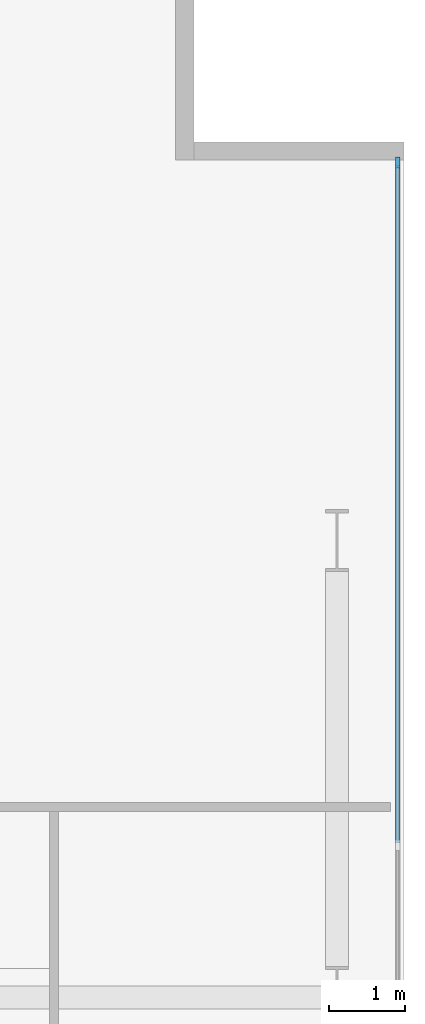
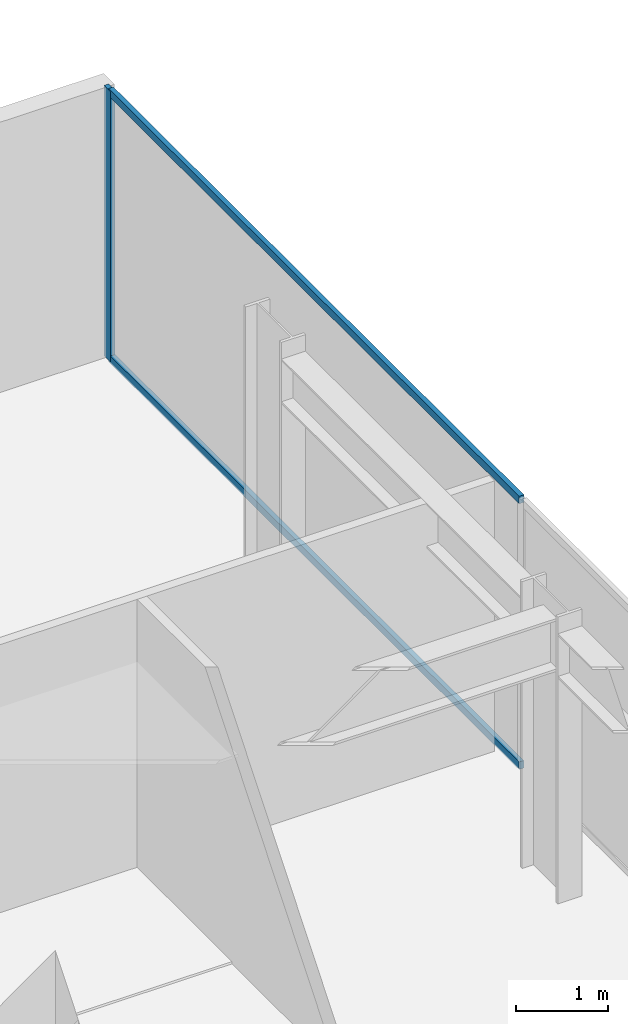
# One storey, part 15 of 23: 3 members, 1 element without a shape of its own.
"""IFC4 building model written with IfcOpenShell, lengths in metres."""

from ifc_helpers import new_model, si_unit, direction, frame, origin, origin_2d, place, context, subcontext, project, spatial, rectangle, extrude, material, layer, layer_set, material_profile, profile_set, type_object, element, aggregate, save


model = new_model("IFC4")

# Units and contexts
model_context = context("Model", 3, precision=1e-05, world=origin(), true_north=direction((0.0, 1.0)))
body_context = subcontext(model_context, "Body", "Model", "MODEL_VIEW")
ifc_project = project(units=[si_unit("LENGTHUNIT", "METRE"), si_unit("AREAUNIT", "SQUARE_METRE"), si_unit("VOLUMEUNIT", "CUBIC_METRE"), si_unit("PLANEANGLEUNIT", "RADIAN"), si_unit("MASSUNIT", "GRAM", prefix="KILO")], contexts=[model_context])

# Site, building, storey
site_placement = place(None, origin())
site = spatial("IfcSite", under=ifc_project, at=site_placement, CompositionType="ELEMENT")
building_placement = place(site_placement, origin())
building = spatial("IfcBuilding", under=site, at=building_placement, Name="Putna Gate Headquarters", CompositionType="ELEMENT")
storey_placement = place(building_placement, frame((0.0, 0.0, 213.800048828125)))
storey = spatial("IfcBuildingStorey", under=building, at=storey_placement, Name="L53", CompositionType="ELEMENT", Elevation=213.800048828125)

# Curtain wall, members
ifc_material_1 = material(Name="Anodised bronze aluminium curtain wall", Category="aluminium")
ifc_layer = layer(ifc_material_1, 0.139892578125)
ifc_layer_set = layer_set([ifc_layer], Name="Anodised bronze aluminium curtain wall")
curtain_wall_type = type_object("IfcCurtainWallType", Name="CW-SYS-Z4", PredefinedType="USERDEFINED", material=ifc_layer_set)
curtain_wall_placement = place(storey_placement, origin())
curtain_wall = element("IfcCurtainWall", 1, at=curtain_wall_placement, inside=storey, type_object=curtain_wall_type, Name="L53 East Curtain Wall", ObjectType="STICK CURTAIN WALL", PredefinedType="USERDEFINED")
ifc_material_2 = material(Name="Anodised bronze aluminium EN AW-6060", Category="aluminium")
ifc_material_profile_1 = material_profile(ifc_material_2, rectangle(XDim=0.06005859375, YDim=0.139892578125, at=origin_2d()), Name="Anodised bronze aluminium EN AW-6060")
ifc_profile_set_1 = profile_set([ifc_material_profile_1], Name="Anodised bronze aluminium EN AW-6060")
member_type_1 = type_object("IfcMemberType", Name="MULL-CWM-4", PredefinedType="MULLION", material=ifc_profile_set_1)
member_1_placement = place(storey_placement, frame((72.1201171875, 43.969970703125, 0.0), z_axis=(0.0, 0.0, 1.0), x_axis=(-1.0, 0.0, 0.0)))
member_1 = element("IfcMember", 2, at=member_1_placement, type_object=member_type_1, Name="CWS-4 mullion 5", PredefinedType="MULLION", context=body_context, shape_type="SweptSolid", body=[
    extrude(rectangle(XDim=0.06005859375, YDim=0.139892578125, at=origin_2d()), origin(), (0.0, 0.0, 1.0), 3.579833984375),
])
ifc_material_profile_2 = material_profile(ifc_material_2, rectangle(XDim=0.06005859375, YDim=0.10009765625, at=origin_2d()), Name="Anodised bronze aluminium EN AW-6060")
ifc_profile_set_2 = profile_set([ifc_material_profile_2], Name="Anodised bronze aluminium EN AW-6060")
member_type_2 = type_object("IfcMemberType", Name="TRAN-CWT-4", PredefinedType="USERDEFINED", material=ifc_profile_set_2)
member_2_placement = place(storey_placement, frame((72.1201171875, 35.030029296875, 0.030029296875), z_axis=(0.0, 1.0, 0.0), x_axis=(-1.0, 0.0, 0.0)))
member_2 = element("IfcMember", 3, at=member_2_placement, type_object=member_type_2, Name="CWS-4 transom 4.1", ObjectType="TRANSOM", PredefinedType="USERDEFINED", context=body_context, shape_type="SweptSolid", body=[
    extrude(rectangle(XDim=0.06005859375, YDim=0.10009765625, at=origin_2d()), origin(), (0.0, 0.0, 1.0), 8.909912109375),
])
member_3_placement = place(storey_placement, frame((72.1201171875, 35.030029296875, 3.550048828125), z_axis=(0.0, 1.0, 0.0), x_axis=(-1.0, 0.0, 0.0)))
member_3 = element("IfcMember", 4, at=member_3_placement, type_object=member_type_2, Name="CWS-4 transom 4.2", ObjectType="TRANSOM", PredefinedType="USERDEFINED", context=body_context, shape_type="SweptSolid", body=[
    extrude(rectangle(XDim=0.06005859375, YDim=0.10009765625, at=origin_2d()), origin(), (0.0, 0.0, 1.0), 8.909912109375),
])
aggregate(curtain_wall, [member_1, member_2, member_3])

save(model, "model.ifc")
